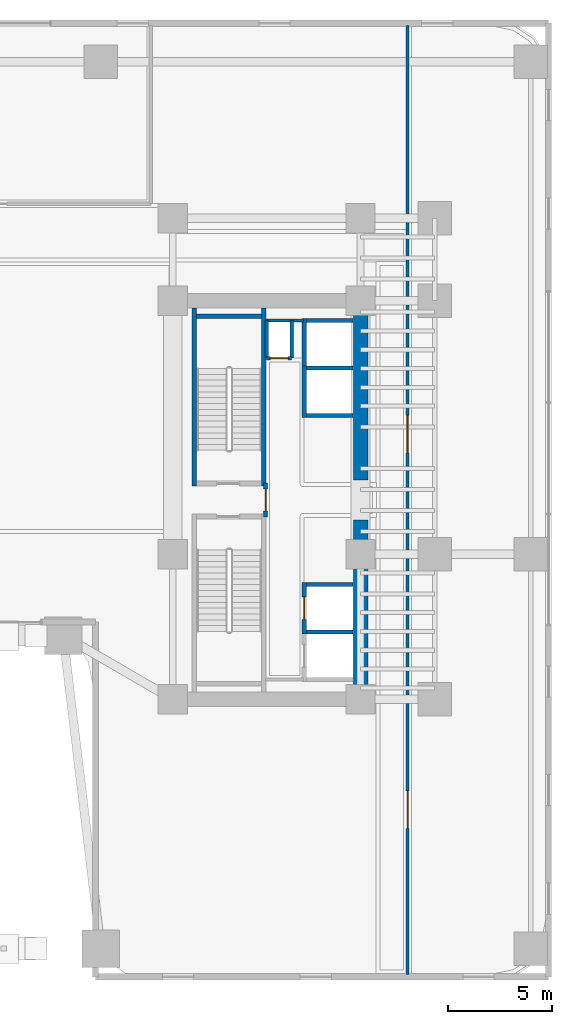
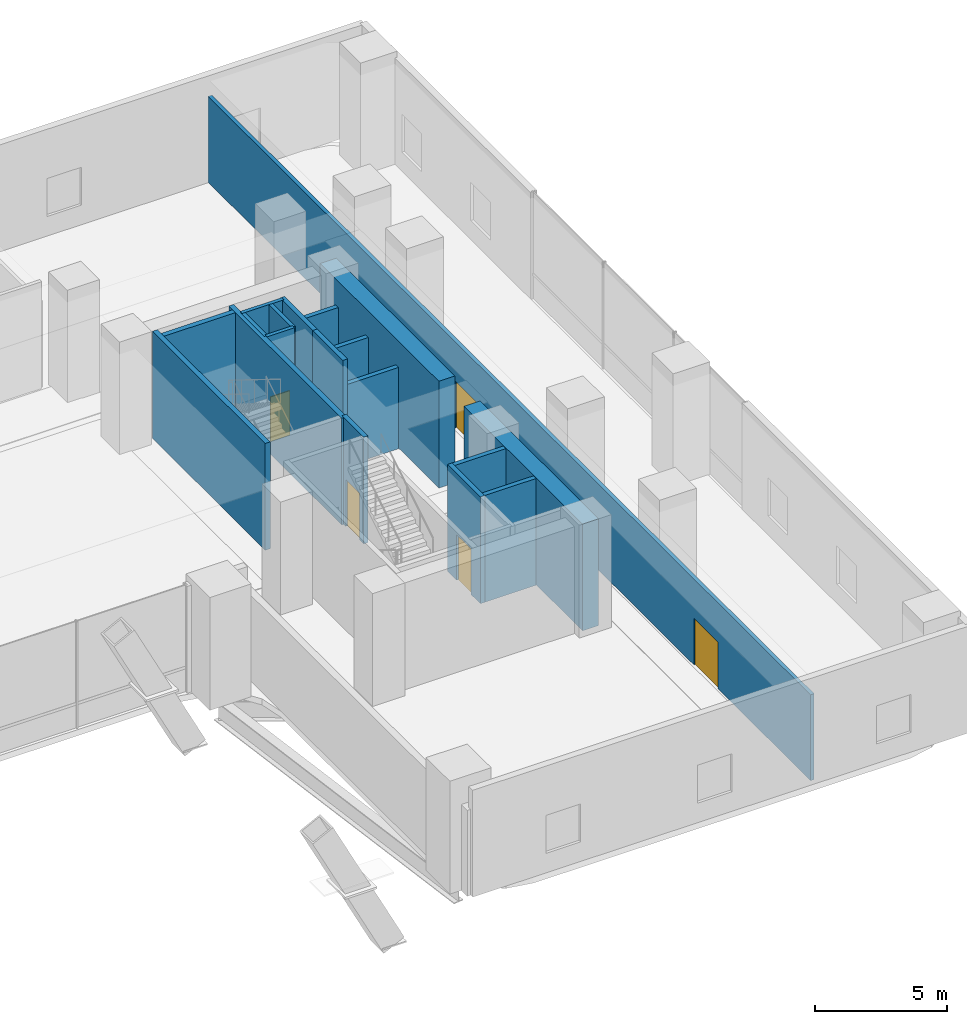
# One storey, part 28 of 39: 19 walls, 5 doors, 5 openings.
"""IFC4 building model written with IfcOpenShell, lengths in metres."""

from ifc_helpers import new_model, si_unit, direction, frame, frame_2d, origin, place, context, subcontext, project, spatial, rectangle, extrude, material, layer, layer_set, type_object, element, fill, save


model = new_model("IFC4")

# Units and contexts
model_context = context("Model", 3, precision=1e-05, world=origin(), true_north=direction((0.0, 1.0)))
body_context = subcontext(model_context, "Body", "Model", "MODEL_VIEW")
ifc_project = project(units=[si_unit("LENGTHUNIT", "METRE"), si_unit("AREAUNIT", "SQUARE_METRE"), si_unit("VOLUMEUNIT", "CUBIC_METRE"), si_unit("PLANEANGLEUNIT", "RADIAN"), si_unit("MASSUNIT", "GRAM", prefix="KILO")], contexts=[model_context])

# Site, building, storey
site_placement = place(None, origin())
site = spatial("IfcSite", under=ifc_project, at=site_placement, CompositionType="ELEMENT")
building_placement = place(site_placement, origin())
building = spatial("IfcBuilding", under=site, at=building_placement, Name="Valdorenza Pilgrim Sanctuary Tower", CompositionType="ELEMENT")
storey_placement = place(building_placement, frame((0.0, 0.0, 10.39990234375)))
storey = spatial("IfcBuildingStorey", under=building, at=storey_placement, Name="L02", CompositionType="ELEMENT", Elevation=10.39990234375)

# Wall, opening, door
ifc_material_1 = material(Name="Acoustic twin-stud gypsum partition", Category="gypsum")
ifc_layer_1 = layer(ifc_material_1, 0.159912109375, Name="Acoustic twin-stud gypsum partition")
ifc_layer_set_1 = layer_set([ifc_layer_1], Name="Acoustic twin-stud gypsum partition")
wall_type_1 = type_object("IfcWallType", Name="WAL-COR-160", PredefinedType="PARTITIONING", material=ifc_layer_set_1)
wall_1_placement = place(storey_placement, frame((20.35009765625, 6.800048828125, 0.0), z_axis=(0.0, 0.0, 1.0), x_axis=(1.0, 0.0, 0.0)))
wall_1 = element("IfcWall", 1, at=wall_1_placement, inside=storey, type_object=wall_type_1, Name="L02 Core B Riser South Wall", PredefinedType="PARTITIONING", context=body_context, shape_type="SweptSolid", body=[
    extrude(rectangle(XDim=1.199951171875, YDim=0.159912109375, at=frame_2d((0.60009765625, 0.0))), origin(), (0.0, 0.0, 1.0), 4.920166015625),
])
opening_1_placement = place(wall_1_placement, frame((0.175048828125, 0.0, 0.0)))
opening_1 = element("IfcOpeningElement", 2, at=opening_1_placement, cuts=wall_1, Name="Opening DR-RS1", PredefinedType="OPENING", context=body_context, shape_type="SweptSolid", body=[
    extrude(rectangle(XDim=0.85009765625, YDim=2.050048828125, at=frame_2d((0.425048828125, 1.02490234375))), frame((0.0, 0.0947265625, 0.0), z_axis=(0.0, -1.0, 0.0), x_axis=(1.0, 0.0, 0.0)), (0.0, 0.0, 1.0), 0.189697265625),
])
ifc_material_2 = material(Name="Painted galvanized steel", Category="steel")
door_type_1 = type_object("IfcDoorType", Name="DR-RSR-850", OperationType="NOTDEFINED", PredefinedType="DOOR", material=ifc_material_2)
door_1_placement = place(opening_1_placement, origin())
door_1 = element("IfcDoor", 3, at=door_1_placement, inside=storey, type_object=door_type_1, Name="L02 Core B Electrical Riser Door", OperationType="SINGLE_SWING_LEFT", OverallHeight=2.050048828125, OverallWidth=0.85009765625, PredefinedType="DOOR", context=body_context, shape_type="SweptSolid", body=[
    extrude(rectangle(XDim=0.85009765625, YDim=2.050048828125, at=frame_2d((0.425048828125, 1.02490234375))), frame((0.0, 0.02490234375, 0.0), z_axis=(0.0, -1.0, 0.0), x_axis=(1.0, 0.0, 0.0)), (0.0, 0.0, 1.0), 0.050048828125),
])
fill(opening_1, door_1)

# Walls
for number, where, z_axis, x_axis, name in (
    (4, (21.550048828125, 6.800048828125, 0.0), (0.0, 0.0, 1.0), (0.0, 1.0, 0.0), "L02 Core B Riser East Wall"),
    (5, (20.35009765625, 6.800048828125, 0.0), (0.0, 0.0, 1.0), (0.0, 1.0, 0.0), "L02 Core B Riser West Wall"),
):
    element("IfcWall", number, at=place(storey_placement, frame(where, z_axis=z_axis, x_axis=x_axis)), inside=storey, type_object=wall_type_1, Name=name, PredefinedType="PARTITIONING", context=body_context, shape_type="SweptSolid", body=[
        extrude(rectangle(XDim=1.800048828125, YDim=0.159912109375, at=frame_2d((0.89990234375, 0.0))), origin(), (0.0, 0.0, 1.0), 4.920166015625),
    ])
wall_2_placement = place(storey_placement, frame((20.300048828125, 8.60009765625, 0.0), z_axis=(0.0, 0.0, 1.0), x_axis=(1.0, 0.0, 0.0)))
element("IfcWall", 6, at=wall_2_placement, inside=storey, type_object=wall_type_1, Name="L02 Core B Lift Hall North End Wall", PredefinedType="PARTITIONING", context=body_context, shape_type="SweptSolid", body=[
    extrude(rectangle(XDim=1.820068359375, YDim=0.159912109375, at=frame_2d((0.91015625, 0.0))), origin(), (0.0, 0.0, 1.0), 4.920166015625),
])

# Wall, openings, doors
wall_3_placement = place(storey_placement, frame((27.10009765625, -22.739990234375, 0.0), z_axis=(0.0, 0.0, 1.0), x_axis=(0.0, 1.0, 0.0)))
wall_3 = element("IfcWall", 7, at=wall_3_placement, inside=storey, type_object=wall_type_1, Name="L02 L02 East Hall Wall", PredefinedType="PARTITIONING", context=body_context, shape_type="SweptSolid", body=[
    extrude(rectangle(XDim=45.47998046875, YDim=0.159912109375, at=frame_2d((22.739990234375, 0.0))), origin(), (0.0, 0.0, 1.0), 3.95703125),
])
opening_2_placement = place(wall_3_placement, frame((7.0, 0.0, 0.0)))
opening_2 = element("IfcOpeningElement", 8, at=opening_2_placement, cuts=wall_3, Name="Opening DR-HL1", PredefinedType="OPENING", context=body_context, shape_type="SweptSolid", body=[
    extrude(rectangle(XDim=1.800048828125, YDim=2.14990234375, at=frame_2d((0.89990234375, 1.074951171875))), frame((0.0, 0.0947265625, 0.0), z_axis=(0.0, -1.0, 0.0), x_axis=(1.0, 0.0, 0.0)), (0.0, 0.0, 1.0), 0.189697265625),
])
opening_3_placement = place(wall_3_placement, frame((25.0, 0.0, 0.0)))
opening_3 = element("IfcOpeningElement", 9, at=opening_3_placement, cuts=wall_3, Name="Opening DR-HL1", PredefinedType="OPENING", context=body_context, shape_type="SweptSolid", body=[
    extrude(rectangle(XDim=1.800048828125, YDim=2.14990234375, at=frame_2d((0.89990234375, 1.074951171875))), frame((0.0, 0.0947265625, 0.0), z_axis=(0.0, -1.0, 0.0), x_axis=(1.0, 0.0, 0.0)), (0.0, 0.0, 1.0), 0.189697265625),
])
ifc_material_3 = material(Name="Acoustic oak and vision-glass double door", Category="glass")
door_type_2 = type_object("IfcDoorType", Name="DR-HALL-1800", OperationType="NOTDEFINED", PredefinedType="DOOR", material=ifc_material_3)
door_2_placement = place(opening_2_placement, origin())
door_2 = element("IfcDoor", 10, at=door_2_placement, inside=storey, type_object=door_type_2, Name="L02 Commercial Catering Dry Store South Double Door", OperationType="DOUBLE_DOOR_SINGLE_SWING", OverallHeight=2.14990234375, OverallWidth=1.800048828125, PredefinedType="DOOR", context=body_context, shape_type="SweptSolid", body=[
    extrude(rectangle(XDim=1.800048828125, YDim=2.14990234375, at=frame_2d((0.89990234375, 1.074951171875))), frame((0.0, 0.02490234375, 0.0), z_axis=(0.0, -1.0, 0.0), x_axis=(1.0, 0.0, 0.0)), (0.0, 0.0, 1.0), 0.050048828125),
])
fill(opening_2, door_2)
door_3_placement = place(opening_3_placement, frame((1.800048828125, 0.0, 0.0), z_axis=(0.0, 0.0, 1.0), x_axis=(-1.0, 0.0, 0.0)))
door_3 = element("IfcDoor", 11, at=door_3_placement, inside=storey, type_object=door_type_2, Name="L02 Commercial Catering Dry Store North Double Door", OperationType="DOUBLE_DOOR_SINGLE_SWING", OverallHeight=2.14990234375, OverallWidth=1.800048828125, PredefinedType="DOOR", context=body_context, shape_type="SweptSolid", body=[
    extrude(rectangle(XDim=1.800048828125, YDim=2.14990234375, at=frame_2d((0.89990234375, 1.074951171875))), frame((0.0, 0.02490234375, 0.0), z_axis=(0.0, -1.0, 0.0), x_axis=(1.0, 0.0, 0.0)), (0.0, 0.0, 1.0), 0.050048828125),
])
fill(opening_3, door_3)

# Walls
ifc_material_4 = material(Name="Concrete C60/75", Category="concrete")
ifc_layer_2 = layer(ifc_material_4, 0.699951171875, Name="Concrete C60/75")
ifc_layer_set_2 = layer_set([ifc_layer_2], Name="Concrete C60/75")
wall_type_2 = type_object("IfcWallType", Name="WAL-COR-700", PredefinedType="SHEAR", material=ifc_layer_set_2)
for number, where, z_axis, x_axis, name in (
    (12, (24.85009765625, -9.89990234375, 0.0), (0.0, 0.0, 1.0), (0.0, 1.0, 0.0), "L02 Split Core B Shear Wall ES"),
    (13, (24.85009765625, 0.949951171875, 0.0), (0.0, 0.0, 1.0), (0.0, 1.0, 0.0), "L02 Split Core B Shear Wall EN"),
):
    element("IfcWall", number, at=place(storey_placement, frame(where, z_axis=z_axis, x_axis=x_axis)), inside=storey, type_object=wall_type_2, Name=name, PredefinedType="SHEAR", context=body_context, shape_type="SweptSolid", body=[
        extrude(rectangle(XDim=8.949951171875, YDim=0.699951171875, at=frame_2d((4.47509765625, 0.0))), origin(), (0.0, 0.0, 1.0), 4.920166015625),
    ])

# Wall, opening, door
ifc_material_5 = material(Name="Gypsum shaftwall partition", Category="gypsum")
ifc_layer_3 = layer(ifc_material_5, 0.199951171875, Name="Gypsum shaftwall partition")
ifc_layer_set_3 = layer_set([ifc_layer_3], Name="Gypsum shaftwall partition")
wall_type_3 = type_object("IfcWallType", Name="WAL-FFL-200", PredefinedType="PARTITIONING", material=ifc_layer_set_3)
wall_4_placement = place(storey_placement, frame((20.300048828125, -0.820068359375, 0.0), z_axis=(0.0, 0.0, 1.0), x_axis=(0.0, 1.0, 0.0)))
wall_4 = element("IfcWall", 14, at=wall_4_placement, inside=storey, type_object=wall_type_3, Name="L02 Core B Firefighting Lobby East Wall", PredefinedType="PARTITIONING", context=body_context, shape_type="SweptSolid", body=[
    extrude(rectangle(XDim=1.64013671875, YDim=0.199951171875, at=frame_2d((0.820068359375, 0.0))), origin(), (0.0, 0.0, 1.0), 4.920166015625),
])
opening_4_placement = place(wall_4_placement, frame((0.294921875, 0.0, 0.0)))
opening_4 = element("IfcOpeningElement", 15, at=opening_4_placement, cuts=wall_4, Name="Opening DR-FL1", PredefinedType="OPENING", context=body_context, shape_type="SweptSolid", body=[
    extrude(rectangle(XDim=1.050048828125, YDim=2.14990234375, at=frame_2d((0.52490234375, 1.074951171875))), frame((0.0, 0.11474609375, 0.0), z_axis=(0.0, -1.0, 0.0), x_axis=(1.0, 0.0, 0.0)), (0.0, 0.0, 1.0), 0.229736328125),
])
door_type_3 = type_object("IfcDoorType", Name="DR-FFL-1050", OperationType="NOTDEFINED", PredefinedType="DOOR", material=ifc_material_2)
door_4_placement = place(opening_4_placement, origin())
door_4 = element("IfcDoor", 16, at=door_4_placement, inside=storey, type_object=door_type_3, Name="L02 Core B Firefighting Lobby Door", OperationType="SINGLE_SWING_RIGHT", OverallHeight=2.14990234375, OverallWidth=1.050048828125, PredefinedType="DOOR", context=body_context, shape_type="SweptSolid", body=[
    extrude(rectangle(XDim=1.050048828125, YDim=2.14990234375, at=frame_2d((0.52490234375, 1.074951171875))), frame((0.0, 0.02490234375, 0.0), z_axis=(0.0, -1.0, 0.0), x_axis=(1.0, 0.0, 0.0)), (0.0, 0.0, 1.0), 0.050048828125),
])
fill(opening_4, door_4)

# Wall
ifc_material_6 = material(Name="Autoclaved aerated concrete blockwork", Category="masonry")
ifc_layer_4 = layer(ifc_material_6, 0.199951171875, Name="Autoclaved aerated concrete blockwork")
ifc_layer_set_4 = layer_set([ifc_layer_4], Name="Autoclaved aerated concrete blockwork")
wall_type_4 = type_object("IfcWallType", Name="WAL-SHF-200", PredefinedType="MOVABLE", material=ifc_layer_set_4)
wall_5_placement = place(storey_placement, frame((22.25, -6.324951171875, 0.0), z_axis=(0.0, 0.0, 1.0), x_axis=(1.0, 0.0, 0.0)))
element("IfcWall", 17, at=wall_5_placement, inside=storey, type_object=wall_type_4, Name="L02 Lift PL-03 Hoistway Wall North", PredefinedType="MOVABLE", context=body_context, shape_type="SweptSolid", body=[
    extrude(rectangle(XDim=2.22998046875, YDim=0.199951171875, at=frame_2d((1.114990234375, 0.0))), origin(), (0.0, 0.0, 1.0), 4.920166015625),
])

# Wall, opening, door
wall_6_placement = place(storey_placement, frame((22.14990234375, -6.425048828125, 0.0), z_axis=(0.0, 0.0, 1.0), x_axis=(0.0, 1.0, 0.0)))
wall_6 = element("IfcWall", 18, at=wall_6_placement, inside=storey, type_object=wall_type_4, Name="L02 Lift PL-04 Hoistway Wall West", PredefinedType="MOVABLE", context=body_context, shape_type="SweptSolid", body=[
    extrude(rectangle(XDim=2.47509765625, YDim=0.199951171875, at=frame_2d((1.237548828125, 0.0))), origin(), (0.0, 0.0, 1.0), 4.920166015625),
])
opening_5_placement = place(wall_6_placement, frame((0.6875, 0.0, 0.0)))
opening_5 = element("IfcOpeningElement", 19, at=opening_5_placement, cuts=wall_6, Name="Opening LD-01", PredefinedType="OPENING", context=body_context, shape_type="SweptSolid", body=[
    extrude(rectangle(XDim=1.10009765625, YDim=2.10009765625, at=frame_2d((0.550048828125, 1.050048828125))), frame((0.0, 0.11474609375, 0.0), z_axis=(0.0, -1.0, 0.0), x_axis=(1.0, 0.0, 0.0)), (0.0, 0.0, 1.0), 0.229736328125),
])
ifc_material_7 = material(Name="Brushed stainless steel Grade 316", Category="steel")
door_type_4 = type_object("IfcDoorType", Name="DR-LFT-1100", OperationType="DOUBLE_DOOR_SLIDING", PredefinedType="DOOR", material=ifc_material_7)
door_5_placement = place(opening_5_placement, origin())
door_5 = element("IfcDoor", 20, at=door_5_placement, inside=storey, type_object=door_type_4, Name="L02 Lift PL-04 Sliding Landing Door", OperationType="DOUBLE_DOOR_SLIDING", OverallHeight=2.10009765625, OverallWidth=1.10009765625, PredefinedType="DOOR", context=body_context, shape_type="SweptSolid", body=[
    extrude(rectangle(XDim=1.10009765625, YDim=2.10009765625, at=frame_2d((0.550048828125, 1.050048828125))), frame((0.0, 0.02490234375, 0.0), z_axis=(0.0, -1.0, 0.0), x_axis=(1.0, 0.0, 0.0)), (0.0, 0.0, 1.0), 0.050048828125),
])
fill(opening_5, door_5)

# Walls
wall_7_placement = place(storey_placement, frame((22.25, -4.050048828125, 0.0), z_axis=(0.0, 0.0, 1.0), x_axis=(1.0, 0.0, 0.0)))
element("IfcWall", 21, at=wall_7_placement, inside=storey, type_object=wall_type_4, Name="L02 Lift PL-04 Hoistway Wall North", PredefinedType="MOVABLE", context=body_context, shape_type="SweptSolid", body=[
    extrude(rectangle(XDim=2.22998046875, YDim=0.199951171875, at=frame_2d((1.114990234375, 0.0))), origin(), (0.0, 0.0, 1.0), 4.920166015625),
])
wall_8_placement = place(storey_placement, frame((22.14990234375, 3.949951171875, 0.0), z_axis=(0.0, 0.0, 1.0), x_axis=(0.0, 1.0, 0.0)))
element("IfcWall", 22, at=wall_8_placement, inside=storey, type_object=wall_type_4, Name="L02 Lift PL-07 Hoistway Wall West", PredefinedType="MOVABLE", context=body_context, shape_type="SweptSolid", body=[
    extrude(rectangle(XDim=2.47509765625, YDim=0.199951171875, at=frame_2d((1.237548828125, 0.0))), origin(), (0.0, 0.0, 1.0), 4.920166015625),
])
for number, where, z_axis, x_axis, name in (
    (23, (22.25, 4.050048828125, 0.0), (0.0, 0.0, 1.0), (1.0, 0.0, 0.0), "L02 Lift PL-07 Hoistway Wall South"),
    (24, (22.25, 6.324951171875, 0.0), (0.0, 0.0, 1.0), (1.0, 0.0, 0.0), "L02 Lift PL-07 Hoistway Wall North"),
):
    element("IfcWall", number, at=place(storey_placement, frame(where, z_axis=z_axis, x_axis=x_axis)), inside=storey, type_object=wall_type_4, Name=name, PredefinedType="MOVABLE", context=body_context, shape_type="SweptSolid", body=[
        extrude(rectangle(XDim=2.22998046875, YDim=0.199951171875, at=frame_2d((1.114990234375, 0.0))), origin(), (0.0, 0.0, 1.0), 3.7451171875),
    ])
wall_9_placement = place(storey_placement, frame((22.14990234375, 6.22509765625, 0.0), z_axis=(0.0, 0.0, 1.0), x_axis=(0.0, 1.0, 0.0)))
element("IfcWall", 25, at=wall_9_placement, inside=storey, type_object=wall_type_4, Name="L02 Lift PL-08 Hoistway Wall West", PredefinedType="MOVABLE", context=body_context, shape_type="SweptSolid", body=[
    extrude(rectangle(XDim=2.474853515625, YDim=0.199951171875, at=frame_2d((1.2373046875, 0.0))), origin(), (0.0, 0.0, 1.0), 4.920166015625),
])
wall_10_placement = place(storey_placement, frame((22.25, 8.60009765625, 0.0), z_axis=(0.0, 0.0, 1.0), x_axis=(1.0, 0.0, 0.0)))
element("IfcWall", 26, at=wall_10_placement, inside=storey, type_object=wall_type_4, Name="L02 Lift PL-08 Hoistway Wall North", PredefinedType="MOVABLE", context=body_context, shape_type="SweptSolid", body=[
    extrude(rectangle(XDim=2.22998046875, YDim=0.199951171875, at=frame_2d((1.114990234375, 0.0))), origin(), (0.0, 0.0, 1.0), 3.7451171875),
])
ifc_material_8 = material(Name="Concrete C40/50", Category="concrete")
ifc_layer_5 = layer(ifc_material_8, 0.219970703125, Name="Concrete C40/50")
ifc_layer_set_5 = layer_set([ifc_layer_5], Name="Concrete C40/50")
wall_type_5 = type_object("IfcWallType", Name="WAL-STR-SHF-220", PredefinedType="SHEAR", material=ifc_layer_set_5)
for number, where, z_axis, x_axis, name in (
    (27, (16.889892578125, 0.679931640625, 0.0), (0.0, 0.0, 1.0), (0.0, 1.0, 0.0), "L02 ST-B1 Structural Stairwell Wall W"),
    (28, (20.219970703125, 0.679931640625, 0.0), (0.0, 0.0, 1.0), (0.0, 1.0, 0.0), "L02 ST-B1 Structural Stairwell Wall E"),
):
    element("IfcWall", number, at=place(storey_placement, frame(where, z_axis=z_axis, x_axis=x_axis)), inside=storey, type_object=wall_type_5, Name=name, PredefinedType="SHEAR", context=body_context, shape_type="SweptSolid", body=[
        extrude(rectangle(XDim=8.52001953125, YDim=0.219970703125, at=frame_2d((4.260009765625, 0.0))), origin(), (0.0, 0.0, 1.0), 4.920166015625),
    ])
wall_11_placement = place(storey_placement, frame((17.0, 8.81005859375, 0.0), z_axis=(0.0, 0.0, 1.0), x_axis=(1.0, 0.0, 0.0)))
element("IfcWall", 29, at=wall_11_placement, inside=storey, type_object=wall_type_5, Name="L02 ST-B1 Structural Stairwell Wall N", PredefinedType="SHEAR", context=body_context, shape_type="SweptSolid", body=[
    extrude(rectangle(XDim=3.110107421875, YDim=0.219970703125, at=frame_2d((1.55517578125, 0.0))), origin(), (0.0, 0.0, 1.0), 4.920166015625),
])

save(model, "model.ifc")
